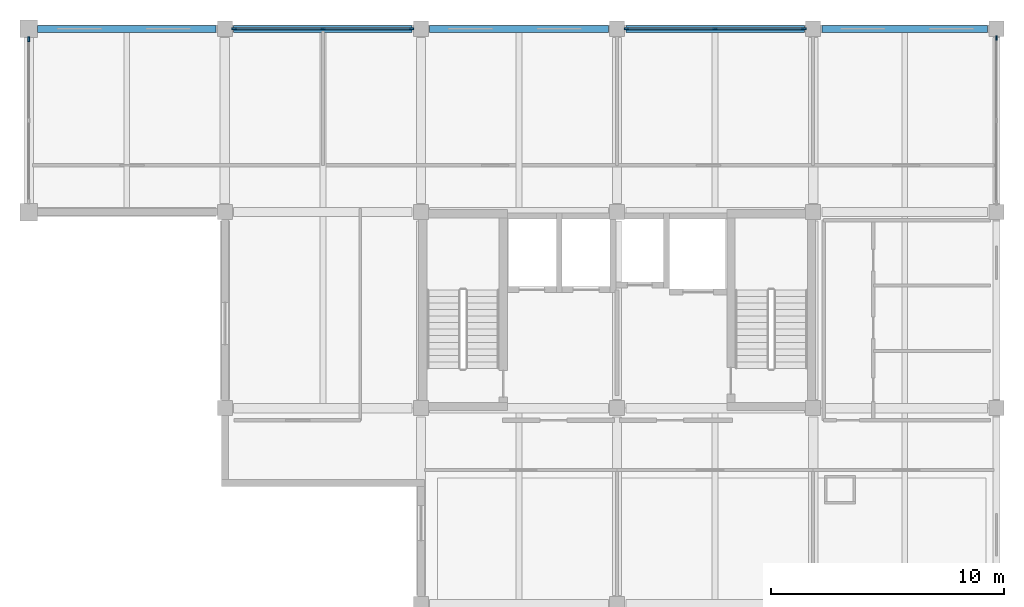
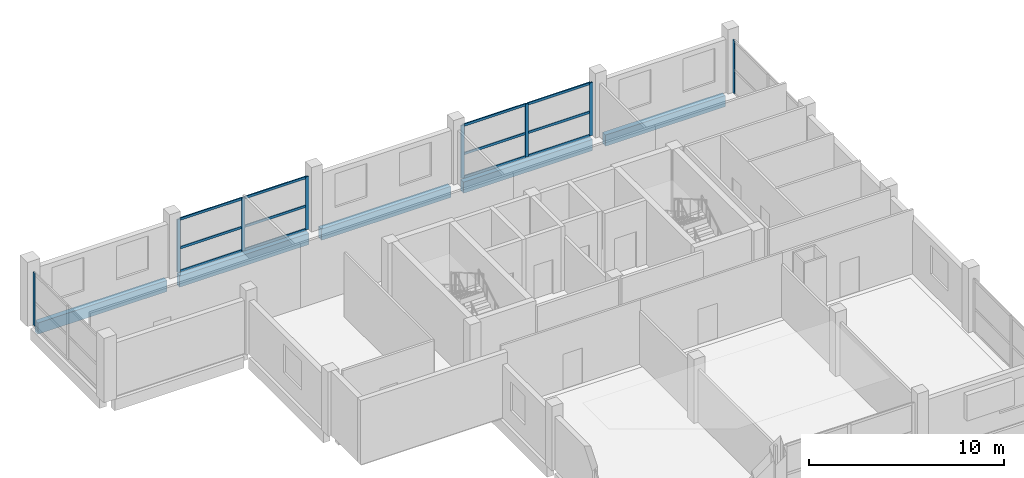
# One storey, part 5 of 9: 20 members, 5 beams, 4 elements without a shape of their own.
"""IFC4 building model written with IfcOpenShell, lengths in metres."""

import ifcopenshell
import ifcopenshell.guid

model = None  # the IFC model being written
_history = None  # IfcOwnerHistory: only IFC2X3 demands one
_inside = {}  # id of a spatial element -> (the spatial element, [elements in it])
_under = {}  # id of a project, library or spatial element -> (it, [spatial elements below it])
_declared = {}  # id of a project -> (the project, [libraries it declares])
_typed = {}  # id of a type object -> (the type object, [elements of that type])
_made_of = {}  # id of a material, layer set ... -> (it, [elements and type objects made of it])


def new_model(schema):
    """Start an empty IFC model of exactly this schema.

    Asked for "IFC4X3", IfcOpenShell would pick the latest addendum, in which some entities
    have other attributes; the version numbers below select the first issue.
    IFC2X3 requires an IfcOwnerHistory on every rooted entity: one is made here for all.
    """
    global model, _history
    if schema == "IFC4X3":
        model = ifcopenshell.file(schema_version=(4, 3, 0, 0))
    else:
        model = ifcopenshell.file(schema=schema)
    _inside.clear()
    _under.clear()
    _declared.clear()
    _typed.clear()
    _made_of.clear()
    _history = None
    if model.schema == "IFC2X3":
        org = make("IfcOrganization", Name="unknown")
        user = make(
            "IfcPersonAndOrganization",
            ThePerson=make("IfcPerson", FamilyName="unknown"),
            TheOrganization=org,
        )
        app = make(
            "IfcApplication",
            ApplicationDeveloper=org,
            Version="unknown",
            ApplicationFullName="unknown",
            ApplicationIdentifier="unknown",
        )
        _history = make(
            "IfcOwnerHistory",
            OwningUser=user,
            OwningApplication=app,
            ChangeAction="ADDED",
            CreationDate=0,
        )
    return model


def make(cls, **values):
    """One entity of the class cls with the attributes given. An attribute that is None is left unset."""
    return model.create_entity(
        cls, **{name: value for name, value in values.items() if value is not None}
    )


def rooted(cls, **values):
    """An entity with a GlobalId (a new one), such as an element, a storey or a relation."""
    return make(cls, GlobalId=ifcopenshell.guid.new(), OwnerHistory=_history, **values)


def si_unit(unit_type, name, prefix=None):
    """IfcSIUnit, for example si_unit("LENGTHUNIT", "METRE", prefix="MILLI")."""
    return make("IfcSIUnit", UnitType=unit_type, Prefix=prefix, Name=name)


def assignment(units):
    """IfcUnitAssignment: the units of a project."""
    return None if units is None else make("IfcUnitAssignment", Units=units)


def point(xyz):
    """IfcCartesianPoint."""
    return None if xyz is None else make("IfcCartesianPoint", Coordinates=xyz)


def direction(xyz):
    """IfcDirection."""
    return None if xyz is None else make("IfcDirection", DirectionRatios=xyz)


def frame(location, z_axis=None, x_axis=None):
    """IfcAxis2Placement3D, a coordinate frame: its origin and axes. An axis left out is left unset."""
    return make(
        "IfcAxis2Placement3D",
        Location=point(location),
        Axis=direction(z_axis),
        RefDirection=direction(x_axis),
    )


def frame_2d(location, x_axis=None):
    """IfcAxis2Placement2D, a coordinate frame in the plane: its origin and x axis."""
    return make(
        "IfcAxis2Placement2D", Location=point(location), RefDirection=direction(x_axis)
    )


def origin():
    """The frame at (0, 0, 0) with its axes left unset."""
    return frame((0.0, 0.0, 0.0))


def origin_2d():
    """The frame at (0, 0) in the plane with its x axis left unset."""
    return frame_2d((0.0, 0.0))


def place(relative_to, where):
    """IfcLocalPlacement: puts the frame where relative to a parent placement (None: the world)."""
    return make(
        "IfcLocalPlacement", PlacementRelTo=relative_to, RelativePlacement=where
    )


def context(
    kind, dimensions, precision=None, world=None, true_north=None, identifier=None
):
    """IfcGeometricRepresentationContext, for example the 3D "Model" context."""
    return make(
        "IfcGeometricRepresentationContext",
        ContextIdentifier=identifier,
        ContextType=kind,
        CoordinateSpaceDimension=dimensions,
        Precision=precision,
        WorldCoordinateSystem=world,
        TrueNorth=true_north,
    )


def subcontext(parent, identifier, kind, view, scale=None):
    """IfcGeometricRepresentationSubContext, for example "Body" below "Model"."""
    return make(
        "IfcGeometricRepresentationSubContext",
        ContextIdentifier=identifier,
        ContextType=kind,
        ParentContext=parent,
        TargetScale=scale,
        TargetView=view,
    )


def project(units=None, contexts=None):
    """IfcProject with its units and contexts."""
    return rooted(
        "IfcProject",
        Name="project",
        RepresentationContexts=contexts,
        UnitsInContext=assignment(units),
    )


def spatial(cls, under=None, at=None, **own):
    """A site, building, storey or space (cls), placed at a placement, below another one or the project."""
    s = rooted(cls, ObjectPlacement=at, **own)
    if under is not None:
        _under.setdefault(under.id(), (under, []))[1].append(s)
    return s


def profile(cls, at=None, kind="AREA", **sizes):
    """A parametric profile (cls). Its sizes go by their IFC names, for example OverallWidth=200.0."""
    return make(cls, ProfileType=kind, Position=at, **sizes)


def rectangle(**sizes):
    """IfcRectangleProfileDef."""
    return profile("IfcRectangleProfileDef", **sizes)


def extrude(swept, where, along, depth):
    """IfcExtrudedAreaSolid: the profile swept, set in the frame where, extruded along a direction by depth."""
    return make(
        "IfcExtrudedAreaSolid",
        SweptArea=swept,
        Position=where,
        ExtrudedDirection=direction(along),
        Depth=depth,
    )


def shape(context_of_items, identifier, shape_type, items):
    """IfcShapeRepresentation: the items that make up one representation, for example the "Body"."""
    return make(
        "IfcShapeRepresentation",
        ContextOfItems=context_of_items,
        RepresentationIdentifier=identifier,
        RepresentationType=shape_type,
        Items=items,
    )


def material(Name=None, Category=None):
    """IfcMaterial."""
    return make("IfcMaterial", Name=Name, Category=Category)


def material_profile(
    of_material, cross_section, Name=None, Category=None, Priority=None
):
    """IfcMaterialProfile: a cross section and its material."""
    return make(
        "IfcMaterialProfile",
        Name=Name,
        Material=of_material,
        Profile=cross_section,
        Priority=Priority,
        Category=Category,
    )


def profile_set(profiles, Name=None, composite=None):
    """IfcMaterialProfileSet."""
    return make(
        "IfcMaterialProfileSet",
        Name=Name,
        MaterialProfiles=profiles,
        CompositeProfile=composite,
    )


def made_of(thing, what):
    """Note that an element or type object is made of a material, layer set ...; save() writes the relation."""
    if what is not None:
        _made_of.setdefault(what.id(), (what, []))[1].append(thing)
    return thing


def type_object(cls, material=None, **own):
    """A type object (cls), such as IfcWallType, which elements share."""
    return made_of(rooted(cls, **own), material)


def element(
    cls,
    number,
    at=None,
    inside=None,
    cuts=None,
    type_object=None,
    material=None,
    context=None,
    identifier="Body",
    shape_type=None,
    held_by="IfcProductDefinitionShape",
    body=None,
    shapes=None,
    **own,
):
    """One element of the class cls, such as IfcWall. Its Tag is "e" and its number.

    at: its placement. inside: the storey or other place that contains it. cuts: it is an
    opening in that element (IfcRelVoidsElement). A single representation is given by context,
    identifier, shape_type and body (its items); several are given by shapes. held_by: the class
    of the entity that holds the representations. save() writes the other relations.
    """
    e = rooted(cls, Tag="e%d" % number, ObjectPlacement=at, **own)
    if body is not None:
        shapes = [shape(context, identifier, shape_type, body)]
    if shapes is not None:
        e.Representation = make(held_by, Representations=shapes)
    if inside is not None:
        _inside.setdefault(inside.id(), (inside, []))[1].append(e)
    if cuts is not None:
        rooted(
            "IfcRelVoidsElement", RelatingBuildingElement=cuts, RelatedOpeningElement=e
        )
    if type_object is not None:
        _typed.setdefault(type_object.id(), (type_object, []))[1].append(e)
    return made_of(e, material)


def aggregate(whole, parts):
    """IfcRelAggregates: a whole, such as a stair, and the parts it consists of."""
    return rooted("IfcRelAggregates", RelatingObject=whole, RelatedObjects=parts)


def save(model, path):
    """Write the relations noted so far, then the file.

    IfcRelAggregates (storeys below a building ...), IfcRelContainedInSpatialStructure (elements
    in a storey), IfcRelDefinesByType, IfcRelAssociatesMaterial and IfcRelDeclares: one each for
    every whole, place, type object, material and project.
    """
    for whole, parts in _under.values():
        aggregate(whole, parts)
    for where, things in _inside.values():
        rooted(
            "IfcRelContainedInSpatialStructure",
            RelatedElements=things,
            RelatingStructure=where,
        )
    for kind, things in _typed.values():
        rooted("IfcRelDefinesByType", RelatedObjects=things, RelatingType=kind)
    for what, things in _made_of.values():
        rooted("IfcRelAssociatesMaterial", RelatedObjects=things, RelatingMaterial=what)
    for by, libraries in _declared.values():
        rooted("IfcRelDeclares", RelatingContext=by, RelatedDefinitions=libraries)
    model.write(path)


model = new_model("IFC4")

# Units and contexts
model_context = context("Model", 3, precision=1e-05, world=origin(), true_north=direction((0.0, 1.0)))
body_context = subcontext(model_context, "Body", "Model", "MODEL_VIEW")
ifc_project = project(units=[si_unit("LENGTHUNIT", "METRE"), si_unit("AREAUNIT", "SQUARE_METRE"), si_unit("VOLUMEUNIT", "CUBIC_METRE"), si_unit("PLANEANGLEUNIT", "RADIAN"), si_unit("MASSUNIT", "GRAM", prefix="KILO")], contexts=[model_context])

# Site, building, storey
site_placement = place(None, origin())
site = spatial("IfcSite", under=ifc_project, at=site_placement, CompositionType="ELEMENT")
building_placement = place(site_placement, origin())
building = spatial("IfcBuilding", under=site, at=building_placement, Name="Brinegate Botanical Conservatory", CompositionType="ELEMENT")
storey_placement = place(building_placement, frame((0.0, 0.0, 57.0)))
storey = spatial("IfcBuildingStorey", under=building, at=storey_placement, Name="L14", CompositionType="ELEMENT", Elevation=57.0)

# Beams
ifc_material_1 = material(Name="Concrete C40/50", Category="concrete")
ifc_material_profile_1 = material_profile(ifc_material_1, rectangle(XDim=0.300048828125, YDim=0.699951171875, at=origin_2d()), Name="RC SPN 300x700")
ifc_profile_set_1 = profile_set([ifc_material_profile_1], Name="Concrete C40/50")
beam_type = type_object("IfcBeamType", Name="Beam_SP-02", PredefinedType="SPANDREL", material=ifc_profile_set_1)
beam_1_placement = place(storey_placement, frame((122.375, 111.449951171875, -0.52001953125), z_axis=(1.0, 0.0, 0.0), x_axis=(0.0, 1.0, 0.0)))
element("IfcBeam", 1, at=beam_1_placement, inside=storey, type_object=beam_type, Name="Beam SP-02 L14 P:16-17", PredefinedType="SPANDREL", context=body_context, shape_type="SweptSolid", body=[
    extrude(rectangle(XDim=0.300048828125, YDim=0.699951171875, at=origin_2d()), origin(), (0.0, 0.0, 1.0), 7.64990234375),
])
beam_2_placement = place(storey_placement, frame((130.77490234375, 111.449951171875, -0.52001953125), z_axis=(1.0, 0.0, 0.0), x_axis=(0.0, 1.0, 0.0)))
element("IfcBeam", 2, at=beam_2_placement, inside=storey, type_object=beam_type, Name="Beam SP-02 L14 P:17-18", PredefinedType="SPANDREL", context=body_context, shape_type="SweptSolid", body=[
    extrude(rectangle(XDim=0.300048828125, YDim=0.699951171875, at=origin_2d()), origin(), (0.0, 0.0, 1.0), 7.650146484375),
])
beam_3_placement = place(storey_placement, frame((139.175048828125, 111.449951171875, -0.52001953125), z_axis=(1.0, 0.0, 0.0), x_axis=(0.0, 1.0, 0.0)))
element("IfcBeam", 3, at=beam_3_placement, inside=storey, type_object=beam_type, Name="Beam SP-02 L14 P:18-19", PredefinedType="SPANDREL", context=body_context, shape_type="SweptSolid", body=[
    extrude(rectangle(XDim=0.300048828125, YDim=0.699951171875, at=origin_2d()), origin(), (0.0, 0.0, 1.0), 7.64990234375),
])
beam_4_placement = place(storey_placement, frame((147.574951171875, 111.449951171875, -0.52001953125), z_axis=(1.0, 0.0, 0.0), x_axis=(0.0, 1.0, 0.0)))
element("IfcBeam", 4, at=beam_4_placement, inside=storey, type_object=beam_type, Name="Beam SP-02 L14 P:19-20", PredefinedType="SPANDREL", context=body_context, shape_type="SweptSolid", body=[
    extrude(rectangle(XDim=0.300048828125, YDim=0.699951171875, at=origin_2d()), origin(), (0.0, 0.0, 1.0), 7.650146484375),
])
beam_5_placement = place(storey_placement, frame((155.97509765625, 111.449951171875, -0.52001953125), z_axis=(1.0, 0.0, 0.0), x_axis=(0.0, 1.0, 0.0)))
element("IfcBeam", 5, at=beam_5_placement, inside=storey, type_object=beam_type, Name="Beam SP-02 L14 P:20-21", PredefinedType="SPANDREL", context=body_context, shape_type="SweptSolid", body=[
    extrude(rectangle(XDim=0.300048828125, YDim=0.699951171875, at=origin_2d()), origin(), (0.0, 0.0, 1.0), 7.099853515625),
])

# Curtain wall, members
ifc_material_2 = material(Name="Thermally broken anodised aluminium AW-6063-T6", Category="aluminium")
curtain_wall_type = type_object("IfcCurtainWallType", Name="CW_CW-TW1", PredefinedType="USERDEFINED", material=ifc_material_2)
curtain_wall_1_placement = place(storey_placement, origin())
curtain_wall_1 = element("IfcCurtainWall", 6, at=curtain_wall_1_placement, inside=storey, type_object=curtain_wall_type, Name="Research lab north curtain wall L14.2", ObjectType="FACTORY CURTAIN WALL", PredefinedType="USERDEFINED")
ifc_material_profile_2 = material_profile(ifc_material_2, rectangle(XDim=0.070068359375, YDim=0.199951171875, at=origin_2d()), Name="ALUM MULLION 70x200")
ifc_profile_set_2 = profile_set([ifc_material_profile_2], Name="Thermally broken anodised aluminium AW-6063-T6")
member_type_1 = type_object("IfcMemberType", Name="Member_ML-03", PredefinedType="MULLION", material=ifc_profile_set_2)
member_1_placement = place(storey_placement, frame((130.800048828125, 111.449951171875, 0.0), z_axis=(0.0, 0.0, 1.0), x_axis=(0.0, 1.0, 0.0)))
member_1 = element("IfcMember", 7, at=member_1_placement, type_object=member_type_1, Name="CW-TW1 mullion 1", PredefinedType="MULLION", context=body_context, shape_type="SweptSolid", body=[
    extrude(rectangle(XDim=0.070068359375, YDim=0.199951171875, at=origin_2d()), origin(), (0.0, 0.0, 1.0), 3.320068359375),
])
member_2_placement = place(storey_placement, frame((134.60009765625, 111.449951171875, 0.0), z_axis=(0.0, 0.0, 1.0), x_axis=(0.0, 1.0, 0.0)))
member_2 = element("IfcMember", 8, at=member_2_placement, type_object=member_type_1, Name="CW-TW1 mullion 2", PredefinedType="MULLION", context=body_context, shape_type="SweptSolid", body=[
    extrude(rectangle(XDim=0.070068359375, YDim=0.199951171875, at=origin_2d()), origin(), (0.0, 0.0, 1.0), 3.320068359375),
])
member_3_placement = place(storey_placement, frame((138.39990234375, 111.449951171875, 0.0), z_axis=(0.0, 0.0, 1.0), x_axis=(0.0, 1.0, 0.0)))
member_3 = element("IfcMember", 9, at=member_3_placement, type_object=member_type_1, Name="CW-TW1 mullion 3", PredefinedType="MULLION", context=body_context, shape_type="SweptSolid", body=[
    extrude(rectangle(XDim=0.070068359375, YDim=0.199951171875, at=origin_2d()), origin(), (0.0, 0.0, 1.0), 3.320068359375),
])

curtain_wall_2_placement = place(storey_placement, origin())
curtain_wall_2 = element("IfcCurtainWall", 10, at=curtain_wall_2_placement, inside=storey, type_object=curtain_wall_type, Name="Research lab north curtain wall L14.4", ObjectType="FACTORY CURTAIN WALL", PredefinedType="USERDEFINED")
member_4_placement = place(storey_placement, frame((147.60009765625, 111.449951171875, 0.0), z_axis=(0.0, 0.0, 1.0), x_axis=(0.0, 1.0, 0.0)))
member_4 = element("IfcMember", 11, at=member_4_placement, type_object=member_type_1, Name="CW-TW1 mullion 1", PredefinedType="MULLION", context=body_context, shape_type="SweptSolid", body=[
    extrude(rectangle(XDim=0.070068359375, YDim=0.199951171875, at=origin_2d()), origin(), (0.0, 0.0, 1.0), 3.320068359375),
])
member_5_placement = place(storey_placement, frame((151.39990234375, 111.449951171875, 0.0), z_axis=(0.0, 0.0, 1.0), x_axis=(0.0, 1.0, 0.0)))
member_5 = element("IfcMember", 12, at=member_5_placement, type_object=member_type_1, Name="CW-TW1 mullion 2", PredefinedType="MULLION", context=body_context, shape_type="SweptSolid", body=[
    extrude(rectangle(XDim=0.070068359375, YDim=0.199951171875, at=origin_2d()), origin(), (0.0, 0.0, 1.0), 3.320068359375),
])
member_6_placement = place(storey_placement, frame((155.199951171875, 111.449951171875, 0.0), z_axis=(0.0, 0.0, 1.0), x_axis=(0.0, 1.0, 0.0)))
member_6 = element("IfcMember", 13, at=member_6_placement, type_object=member_type_1, Name="CW-TW1 mullion 3", PredefinedType="MULLION", context=body_context, shape_type="SweptSolid", body=[
    extrude(rectangle(XDim=0.070068359375, YDim=0.199951171875, at=origin_2d()), origin(), (0.0, 0.0, 1.0), 3.320068359375),
])

# Curtain wall, member
curtain_wall_3_placement = place(storey_placement, origin())
curtain_wall_3 = element("IfcCurtainWall", 14, at=curtain_wall_3_placement, inside=storey, type_object=curtain_wall_type, Name="Tower east curtain wall L14.4", ObjectType="FACTORY CURTAIN WALL", PredefinedType="USERDEFINED")
member_7_placement = place(storey_placement, frame((163.449951171875, 111.050048828125, 0.0), z_axis=(0.0, 0.0, 1.0), x_axis=(1.0, 0.0, 0.0)))
member_7 = element("IfcMember", 15, at=member_7_placement, type_object=member_type_1, Name="CW-TW1 mullion 1", PredefinedType="MULLION", context=body_context, shape_type="SweptSolid", body=[
    extrude(rectangle(XDim=0.070068359375, YDim=0.199951171875, at=origin_2d()), origin(), (0.0, 0.0, 1.0), 3.320068359375),
])
aggregate(curtain_wall_3, [member_7])

curtain_wall_4_placement = place(storey_placement, origin())
curtain_wall_4 = element("IfcCurtainWall", 16, at=curtain_wall_4_placement, inside=storey, type_object=curtain_wall_type, Name="Tower north-west curtain wall L14", ObjectType="FACTORY CURTAIN WALL", PredefinedType="USERDEFINED")
member_8_placement = place(storey_placement, frame((122.0, 111.0, 0.0), z_axis=(0.0, 0.0, 1.0), x_axis=(-1.0, 0.0, 0.0)))
member_8 = element("IfcMember", 17, at=member_8_placement, type_object=member_type_1, Name="CW-TW1 mullion 3", PredefinedType="MULLION", context=body_context, shape_type="SweptSolid", body=[
    extrude(rectangle(XDim=0.070068359375, YDim=0.199951171875, at=origin_2d()), origin(), (0.0, 0.0, 1.0), 3.320068359375),
])
aggregate(curtain_wall_4, [member_8])

# Member
ifc_material_profile_3 = material_profile(ifc_material_2, rectangle(XDim=0.070068359375, YDim=0.14990234375, at=origin_2d()), Name="ALUM TRANSOM 70x150")
ifc_profile_set_3 = profile_set([ifc_material_profile_3], Name="Thermally broken anodised aluminium AW-6063-T6")
member_type_2 = type_object("IfcMemberType", Name="Member_TR-03", PredefinedType="USERDEFINED", material=ifc_profile_set_3)
member_9_placement = place(storey_placement, frame((130.8349609375, 111.449951171875, 0.034912109375), z_axis=(1.0, 0.0, 0.0), x_axis=(0.0, 1.0, 0.0)))
member_9 = element("IfcMember", 18, at=member_9_placement, type_object=member_type_2, Name="CW-TW1 transom 1.1", ObjectType="TRANSOM", PredefinedType="USERDEFINED", context=body_context, shape_type="SweptSolid", body=[
    extrude(rectangle(XDim=0.070068359375, YDim=0.14990234375, at=origin_2d()), origin(), (0.0, 0.0, 1.0), 3.72998046875),
])

member_10_placement = place(storey_placement, frame((130.8349609375, 111.449951171875, 1.493896484375), z_axis=(1.0, 0.0, 0.0), x_axis=(0.0, 1.0, 0.0)))
member_10 = element("IfcMember", 19, at=member_10_placement, type_object=member_type_2, Name="CW-TW1 transom 1.2", ObjectType="TRANSOM", PredefinedType="USERDEFINED", context=body_context, shape_type="SweptSolid", body=[
    extrude(rectangle(XDim=0.070068359375, YDim=0.14990234375, at=origin_2d()), origin(), (0.0, 0.0, 1.0), 3.72998046875),
])

member_11_placement = place(storey_placement, frame((130.8349609375, 111.449951171875, 3.284912109375), z_axis=(1.0, 0.0, 0.0), x_axis=(0.0, 1.0, 0.0)))
member_11 = element("IfcMember", 20, at=member_11_placement, type_object=member_type_2, Name="CW-TW1 transom 1.3", ObjectType="TRANSOM", PredefinedType="USERDEFINED", context=body_context, shape_type="SweptSolid", body=[
    extrude(rectangle(XDim=0.070068359375, YDim=0.14990234375, at=origin_2d()), origin(), (0.0, 0.0, 1.0), 3.72998046875),
])

member_12_placement = place(storey_placement, frame((134.635009765625, 111.449951171875, 0.034912109375), z_axis=(1.0, 0.0, 0.0), x_axis=(0.0, 1.0, 0.0)))
member_12 = element("IfcMember", 21, at=member_12_placement, type_object=member_type_2, Name="CW-TW1 transom 2.1", ObjectType="TRANSOM", PredefinedType="USERDEFINED", context=body_context, shape_type="SweptSolid", body=[
    extrude(rectangle(XDim=0.070068359375, YDim=0.14990234375, at=origin_2d()), origin(), (0.0, 0.0, 1.0), 3.72998046875),
])

member_13_placement = place(storey_placement, frame((134.635009765625, 111.449951171875, 1.493896484375), z_axis=(1.0, 0.0, 0.0), x_axis=(0.0, 1.0, 0.0)))
member_13 = element("IfcMember", 22, at=member_13_placement, type_object=member_type_2, Name="CW-TW1 transom 2.2", ObjectType="TRANSOM", PredefinedType="USERDEFINED", context=body_context, shape_type="SweptSolid", body=[
    extrude(rectangle(XDim=0.070068359375, YDim=0.14990234375, at=origin_2d()), origin(), (0.0, 0.0, 1.0), 3.72998046875),
])

member_14_placement = place(storey_placement, frame((134.635009765625, 111.449951171875, 3.284912109375), z_axis=(1.0, 0.0, 0.0), x_axis=(0.0, 1.0, 0.0)))
member_14 = element("IfcMember", 23, at=member_14_placement, type_object=member_type_2, Name="CW-TW1 transom 2.3", ObjectType="TRANSOM", PredefinedType="USERDEFINED", context=body_context, shape_type="SweptSolid", body=[
    extrude(rectangle(XDim=0.070068359375, YDim=0.14990234375, at=origin_2d()), origin(), (0.0, 0.0, 1.0), 3.72998046875),
])

aggregate(curtain_wall_1, [member_1, member_2, member_3, member_9, member_10, member_11, member_12, member_13, member_14])

member_15_placement = place(storey_placement, frame((147.635009765625, 111.449951171875, 0.034912109375), z_axis=(1.0, 0.0, 0.0), x_axis=(0.0, 1.0, 0.0)))
member_15 = element("IfcMember", 24, at=member_15_placement, type_object=member_type_2, Name="CW-TW1 transom 1.1", ObjectType="TRANSOM", PredefinedType="USERDEFINED", context=body_context, shape_type="SweptSolid", body=[
    extrude(rectangle(XDim=0.070068359375, YDim=0.14990234375, at=origin_2d()), origin(), (0.0, 0.0, 1.0), 3.72998046875),
])

member_16_placement = place(storey_placement, frame((147.635009765625, 111.449951171875, 1.493896484375), z_axis=(1.0, 0.0, 0.0), x_axis=(0.0, 1.0, 0.0)))
member_16 = element("IfcMember", 25, at=member_16_placement, type_object=member_type_2, Name="CW-TW1 transom 1.2", ObjectType="TRANSOM", PredefinedType="USERDEFINED", context=body_context, shape_type="SweptSolid", body=[
    extrude(rectangle(XDim=0.070068359375, YDim=0.14990234375, at=origin_2d()), origin(), (0.0, 0.0, 1.0), 3.72998046875),
])

member_17_placement = place(storey_placement, frame((147.635009765625, 111.449951171875, 3.284912109375), z_axis=(1.0, 0.0, 0.0), x_axis=(0.0, 1.0, 0.0)))
member_17 = element("IfcMember", 26, at=member_17_placement, type_object=member_type_2, Name="CW-TW1 transom 1.3", ObjectType="TRANSOM", PredefinedType="USERDEFINED", context=body_context, shape_type="SweptSolid", body=[
    extrude(rectangle(XDim=0.070068359375, YDim=0.14990234375, at=origin_2d()), origin(), (0.0, 0.0, 1.0), 3.72998046875),
])

member_18_placement = place(storey_placement, frame((151.43505859375, 111.449951171875, 0.034912109375), z_axis=(1.0, 0.0, 0.0), x_axis=(0.0, 1.0, 0.0)))
member_18 = element("IfcMember", 27, at=member_18_placement, type_object=member_type_2, Name="CW-TW1 transom 2.1", ObjectType="TRANSOM", PredefinedType="USERDEFINED", context=body_context, shape_type="SweptSolid", body=[
    extrude(rectangle(XDim=0.070068359375, YDim=0.14990234375, at=origin_2d()), origin(), (0.0, 0.0, 1.0), 3.72998046875),
])

member_19_placement = place(storey_placement, frame((151.43505859375, 111.449951171875, 1.493896484375), z_axis=(1.0, 0.0, 0.0), x_axis=(0.0, 1.0, 0.0)))
member_19 = element("IfcMember", 28, at=member_19_placement, type_object=member_type_2, Name="CW-TW1 transom 2.2", ObjectType="TRANSOM", PredefinedType="USERDEFINED", context=body_context, shape_type="SweptSolid", body=[
    extrude(rectangle(XDim=0.070068359375, YDim=0.14990234375, at=origin_2d()), origin(), (0.0, 0.0, 1.0), 3.72998046875),
])

member_20_placement = place(storey_placement, frame((151.43505859375, 111.449951171875, 3.284912109375), z_axis=(1.0, 0.0, 0.0), x_axis=(0.0, 1.0, 0.0)))
member_20 = element("IfcMember", 29, at=member_20_placement, type_object=member_type_2, Name="CW-TW1 transom 2.3", ObjectType="TRANSOM", PredefinedType="USERDEFINED", context=body_context, shape_type="SweptSolid", body=[
    extrude(rectangle(XDim=0.070068359375, YDim=0.14990234375, at=origin_2d()), origin(), (0.0, 0.0, 1.0), 3.72998046875),
])

aggregate(curtain_wall_2, [member_4, member_5, member_6, member_15, member_16, member_17, member_18, member_19, member_20])

save(model, "model.ifc")
